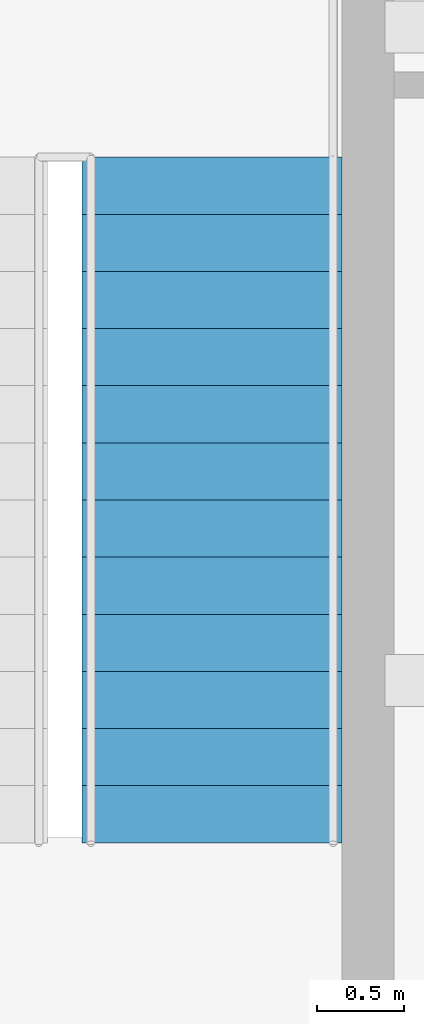
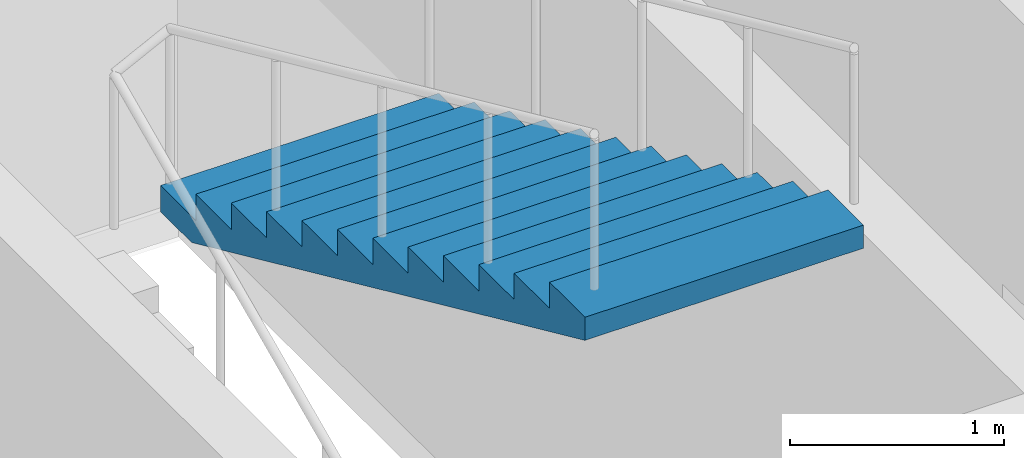
# One storey, part 10 of 11: 1 stair flight, 1 element without a shape of its own.
"""IFC4 building model written with IfcOpenShell, lengths in metres."""

from ifc_helpers import new_model, si_unit, direction, frame, origin, place, context, subcontext, project, spatial, polygons, material, type_object, element, aggregate, save


model = new_model("IFC4")

# Units and contexts
model_context = context("Model", 3, precision=1e-05, world=origin(), true_north=direction((0.0, 1.0)))
body_context = subcontext(model_context, "Body", "Model", "MODEL_VIEW")
ifc_project = project(units=[si_unit("LENGTHUNIT", "METRE"), si_unit("AREAUNIT", "SQUARE_METRE"), si_unit("VOLUMEUNIT", "CUBIC_METRE"), si_unit("PLANEANGLEUNIT", "RADIAN"), si_unit("MASSUNIT", "GRAM", prefix="KILO")], contexts=[model_context])

# Site, building, storey
site_placement = place(None, origin())
site = spatial("IfcSite", under=ifc_project, at=site_placement, CompositionType="ELEMENT")
building_placement = place(site_placement, origin())
building = spatial("IfcBuilding", under=site, at=building_placement, Name="Njiva Tower", CompositionType="ELEMENT")
storey_placement = place(building_placement, frame((0.0, 0.0, 139.8)))
storey = spatial("IfcBuildingStorey", under=building, at=storey_placement, Name="L29", CompositionType="ELEMENT", Elevation=139.8)

# Stair, stair flight
ifc_material = material(Name="Concrete C40/50", Category="concrete")
stair_type = type_object("IfcStairType", Name="ST4 Exit stair 1500", PredefinedType="HALF_TURN_STAIR", material=ifc_material)
stair_placement = place(storey_placement, origin())
stair = element("IfcStair", 1, at=stair_placement, inside=storey, type_object=stair_type, Name="Stair B", PredefinedType="HALF_TURN_STAIR")
stair_flight_type = type_object("IfcStairFlightType", Name="FL4 Stair flight 1500", PredefinedType="STRAIGHT", material=ifc_material)
stair_flight_placement = place(storey_placement, frame((13.45, 15.06, 1.95), z_axis=(0.0, 0.0, 1.0), x_axis=(0.0, -1.0, 0.0)))
stair_flight = element("IfcStairFlight", 2, at=stair_flight_placement, type_object=stair_flight_type, Name="ST-B flight 2", NumberOfRisers=13, NumberOfTreads=12, PredefinedType="STRAIGHT", RiserHeight=0.15, TreadLength=0.33, context=body_context, shape_type="Tessellation", body=[
    polygons([(0.0, 0.75, 0.0), (0.0, 0.375, 0.0), (0.0, 0.0, 0.0), (0.0, -0.375, 0.0), (0.0, -0.75, 0.0), (0.0, 0.75, 0.15), (0.0, 0.375, 0.15), (0.0, 0.0, 0.15), (0.0, -0.375, 0.15), (0.0, -0.75, 0.15), (0.33, 0.75, 0.15), (0.33, 0.375, 0.15), (0.33, 0.0, 0.15), (0.33, -0.375, 0.15), (0.33, -0.75, 0.15), (0.33, 0.75, 0.3), (0.33, 0.375, 0.3), (0.33, 0.0, 0.3), (0.33, -0.375, 0.3), (0.33, -0.75, 0.3), (0.66, 0.75, 0.3), (0.66, 0.375, 0.3), (0.66, 0.0, 0.3), (0.66, -0.375, 0.3), (0.66, -0.75, 0.3), (0.66, 0.75, 0.45), (0.66, 0.375, 0.45), (0.66, 0.0, 0.45), (0.66, -0.375, 0.45), (0.66, -0.75, 0.45), (0.99, 0.75, 0.45), (0.99, 0.375, 0.45), (0.99, 0.0, 0.45), (0.99, -0.375, 0.45), (0.99, -0.75, 0.45), (0.99, 0.75, 0.6), (0.99, 0.375, 0.6), (0.99, 0.0, 0.6), (0.99, -0.375, 0.6), (0.99, -0.75, 0.6), (1.32, 0.75, 0.6), (1.32, 0.375, 0.6), (1.32, 0.0, 0.6), (1.32, -0.375, 0.6), (1.32, -0.75, 0.6), (1.32, 0.75, 0.75), (1.32, 0.375, 0.75), (1.32, 0.0, 0.75), (1.32, -0.375, 0.75), (1.32, -0.75, 0.75), (1.65, 0.75, 0.75), (1.65, 0.375, 0.75), (1.65, 0.0, 0.75), (1.65, -0.375, 0.75), (1.65, -0.75, 0.75), (1.65, 0.75, 0.9), (1.65, 0.375, 0.9), (1.65, 0.0, 0.9), (1.65, -0.375, 0.9), (1.65, -0.75, 0.9), (1.98, 0.75, 0.9), (1.98, 0.375, 0.9), (1.98, 0.0, 0.9), (1.98, -0.375, 0.9), (1.98, -0.75, 0.9), (1.98, 0.75, 1.05), (1.98, 0.375, 1.05), (1.98, 0.0, 1.05), (1.98, -0.375, 1.05), (1.98, -0.75, 1.05), (2.31, 0.75, 1.05), (2.31, 0.375, 1.05), (2.31, 0.0, 1.05), (2.31, -0.375, 1.05), (2.31, -0.75, 1.05), (2.31, 0.75, 1.2), (2.31, 0.375, 1.2), (2.31, 0.0, 1.2), (2.31, -0.375, 1.2), (2.31, -0.75, 1.2), (2.64, 0.75, 1.2), (2.64, 0.375, 1.2), (2.64, 0.0, 1.2), (2.64, -0.375, 1.2), (2.64, -0.75, 1.2), (2.64, 0.75, 1.35), (2.64, 0.375, 1.35), (2.64, 0.0, 1.35), (2.64, -0.375, 1.35), (2.64, -0.75, 1.35), (2.97, 0.75, 1.35), (2.97, 0.375, 1.35), (2.97, 0.0, 1.35), (2.97, -0.375, 1.35), (2.97, -0.75, 1.35), (2.97, 0.75, 1.5), (2.97, 0.375, 1.5), (2.97, 0.0, 1.5), (2.97, -0.375, 1.5), (2.97, -0.75, 1.5), (3.3, 0.75, 1.5), (3.3, 0.375, 1.5), (3.3, 0.0, 1.5), (3.3, -0.375, 1.5), (3.3, -0.75, 1.5), (3.3, 0.75, 1.65), (3.3, 0.375, 1.65), (3.3, 0.0, 1.65), (3.3, -0.375, 1.65), (3.3, -0.75, 1.65), (3.63, 0.75, 1.65), (3.63, 0.375, 1.65), (3.63, 0.0, 1.65), (3.63, -0.375, 1.65), (3.63, -0.75, 1.65), (3.63, 0.75, 1.8), (3.63, 0.375, 1.8), (3.63, 0.0, 1.8), (3.63, -0.375, 1.8), (3.63, -0.75, 1.8), (3.96, 0.75, 1.8), (3.96, 0.375, 1.8), (3.96, 0.0, 1.8), (3.96, -0.375, 1.8), (3.96, -0.75, 1.8), (3.96, 0.75, 1.6682), (3.96, 0.375, 1.6682), (3.96, 0.0, 1.6682), (3.96, -0.375, 1.6682), (3.96, -0.75, 1.6682), (0.29, 0.75, 0.0), (0.29, 0.375, 0.0), (0.29, 0.0, 0.0), (0.29, -0.375, 0.0), (0.29, -0.75, 0.0)], [[[1, 6, 11, 16, 21, 26, 31, 36, 41, 46, 51, 56, 61, 66, 71, 76, 81, 86, 91, 96, 101, 106, 111, 116, 121, 126, 131]], [[135, 130, 125, 120, 115, 110, 105, 100, 95, 90, 85, 80, 75, 70, 65, 60, 55, 50, 45, 40, 35, 30, 25, 20, 15, 10, 5]], [[6, 1, 2, 7]], [[7, 2, 3, 8]], [[8, 3, 4, 9]], [[9, 4, 5, 10]], [[11, 6, 7, 12]], [[12, 7, 8, 13]], [[13, 8, 9, 14]], [[14, 9, 10, 15]], [[16, 11, 12, 17]], [[17, 12, 13, 18]], [[18, 13, 14, 19]], [[19, 14, 15, 20]], [[21, 16, 17, 22]], [[22, 17, 18, 23]], [[23, 18, 19, 24]], [[24, 19, 20, 25]], [[26, 21, 22, 27]], [[27, 22, 23, 28]], [[28, 23, 24, 29]], [[29, 24, 25, 30]], [[31, 26, 27, 32]], [[32, 27, 28, 33]], [[33, 28, 29, 34]], [[34, 29, 30, 35]], [[36, 31, 32, 37]], [[37, 32, 33, 38]], [[38, 33, 34, 39]], [[39, 34, 35, 40]], [[41, 36, 37, 42]], [[42, 37, 38, 43]], [[43, 38, 39, 44]], [[44, 39, 40, 45]], [[46, 41, 42, 47]], [[47, 42, 43, 48]], [[48, 43, 44, 49]], [[49, 44, 45, 50]], [[51, 46, 47, 52]], [[52, 47, 48, 53]], [[53, 48, 49, 54]], [[54, 49, 50, 55]], [[56, 51, 52, 57]], [[57, 52, 53, 58]], [[58, 53, 54, 59]], [[59, 54, 55, 60]], [[61, 56, 57, 62]], [[62, 57, 58, 63]], [[63, 58, 59, 64]], [[64, 59, 60, 65]], [[66, 61, 62, 67]], [[67, 62, 63, 68]], [[68, 63, 64, 69]], [[69, 64, 65, 70]], [[71, 66, 67, 72]], [[72, 67, 68, 73]], [[73, 68, 69, 74]], [[74, 69, 70, 75]], [[76, 71, 72, 77]], [[77, 72, 73, 78]], [[78, 73, 74, 79]], [[79, 74, 75, 80]], [[81, 76, 77, 82]], [[82, 77, 78, 83]], [[83, 78, 79, 84]], [[84, 79, 80, 85]], [[86, 81, 82, 87]], [[87, 82, 83, 88]], [[88, 83, 84, 89]], [[89, 84, 85, 90]], [[91, 86, 87, 92]], [[92, 87, 88, 93]], [[93, 88, 89, 94]], [[94, 89, 90, 95]], [[96, 91, 92, 97]], [[97, 92, 93, 98]], [[98, 93, 94, 99]], [[99, 94, 95, 100]], [[101, 96, 97, 102]], [[102, 97, 98, 103]], [[103, 98, 99, 104]], [[104, 99, 100, 105]], [[106, 101, 102, 107]], [[107, 102, 103, 108]], [[108, 103, 104, 109]], [[109, 104, 105, 110]], [[111, 106, 107, 112]], [[112, 107, 108, 113]], [[113, 108, 109, 114]], [[114, 109, 110, 115]], [[116, 111, 112, 117]], [[117, 112, 113, 118]], [[118, 113, 114, 119]], [[119, 114, 115, 120]], [[121, 116, 117, 122]], [[122, 117, 118, 123]], [[123, 118, 119, 124]], [[124, 119, 120, 125]], [[126, 121, 122, 127]], [[127, 122, 123, 128]], [[128, 123, 124, 129]], [[129, 124, 125, 130]], [[131, 126, 127, 132]], [[132, 127, 128, 133]], [[133, 128, 129, 134]], [[134, 129, 130, 135]], [[1, 131, 132, 2]], [[2, 132, 133, 3]], [[3, 133, 134, 4]], [[4, 134, 135, 5]]], closed=True),
])
aggregate(stair, [stair_flight])

save(model, "model.ifc")
